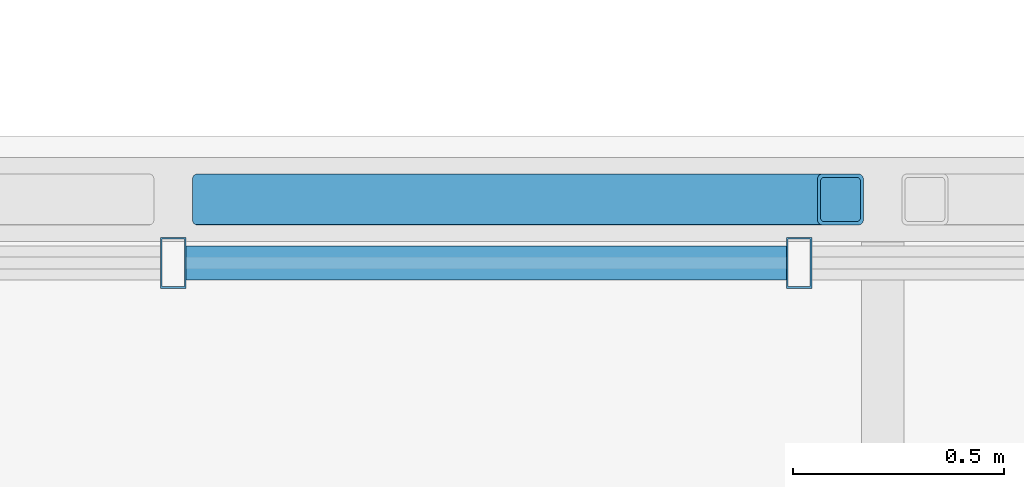
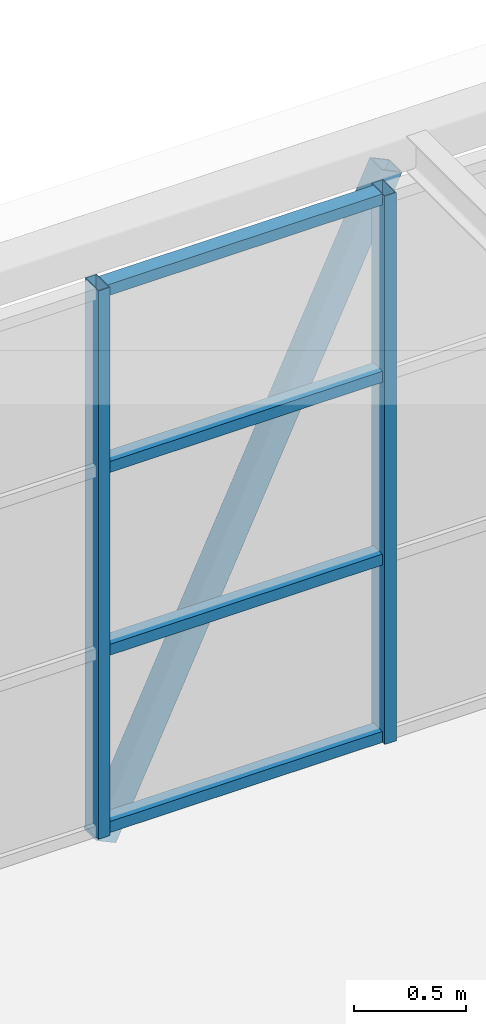
# One storey, part 36 of 149: 7 members, 1 element without a shape of its own.
"""IFC4 building model written with IfcOpenShell, lengths in metres."""

from ifc_helpers import new_model, si_unit, direction, frame, origin, origin_2d, place, context, subcontext, project, spatial, hollow_rectangle, extrude, material, material_profile, profile_set, type_object, element, aggregate, save


model = new_model("IFC4")

# Units and contexts
model_context = context("Model", 3, precision=1e-05, world=origin(), true_north=direction((0.0, 1.0)))
body_context = subcontext(model_context, "Body", "Model", "MODEL_VIEW")
ifc_project = project(units=[si_unit("LENGTHUNIT", "METRE"), si_unit("AREAUNIT", "SQUARE_METRE"), si_unit("VOLUMEUNIT", "CUBIC_METRE"), si_unit("PLANEANGLEUNIT", "RADIAN"), si_unit("MASSUNIT", "GRAM", prefix="KILO")], contexts=[model_context])

# Site, building, storey
site_placement = place(None, origin())
site = spatial("IfcSite", under=ifc_project, at=site_placement, CompositionType="ELEMENT")
building_placement = place(site_placement, origin())
building = spatial("IfcBuilding", under=site, at=building_placement, Name="Kallimachos Central Library", CompositionType="ELEMENT")
storey_placement = place(building_placement, frame((0.0, 0.0, 9.89990234375)))
storey = spatial("IfcBuildingStorey", under=building, at=storey_placement, Name="L02", CompositionType="ELEMENT", Elevation=9.89990234375)

# Curtain wall, members
ifc_material_1 = material(Name="Aluminium and laminated glass", Category="aluminium")
curtain_wall_type = type_object("IfcCurtainWallType", Name="Link glazed wall", PredefinedType="NOTDEFINED", material=ifc_material_1)
curtain_wall_placement = place(storey_placement, origin())
curtain_wall = element("IfcCurtainWall", 1, at=curtain_wall_placement, inside=storey, type_object=curtain_wall_type, Name="V2 to V1 bridge glazed side", PredefinedType="NOTDEFINED")
ifc_material_2 = material(Name="Anodised aluminium", Category="aluminium")
ifc_material_profile_1 = material_profile(ifc_material_2, hollow_rectangle(XDim=0.06005859375, YDim=0.1201171875, WallThickness=0.00390625, at=origin_2d()), Name="ALU MULLION 60x120")
ifc_profile_set_1 = profile_set([ifc_material_profile_1], Name="Anodised aluminium")
member_type_1 = type_object("IfcMemberType", Name="ALU MULLION 60x120 mullion", PredefinedType="MULLION", material=ifc_profile_set_1)
member_1_placement = place(storey_placement, frame((51.737548828125, 102.449951171875, 0.0), z_axis=(0.0, 0.0, 1.0), x_axis=(1.0, 0.0, 0.0)))
member_1 = element("IfcMember", 2, at=member_1_placement, type_object=member_type_1, Name="CW73 mullion 10", PredefinedType="MULLION", context=body_context, shape_type="SweptSolid", body=[
    extrude(hollow_rectangle(XDim=0.06005859375, YDim=0.1201171875, WallThickness=0.00390625, at=origin_2d()), origin(), (0.0, 0.0, 1.0), 3.0),
])
member_2_placement = place(storey_placement, frame((53.219482421875, 102.449951171875, 0.0), z_axis=(0.0, 0.0, 1.0), x_axis=(1.0, 0.0, 0.0)))
member_2 = element("IfcMember", 3, at=member_2_placement, type_object=member_type_1, Name="CW73 mullion 11", PredefinedType="MULLION", context=body_context, shape_type="SweptSolid", body=[
    extrude(hollow_rectangle(XDim=0.06005859375, YDim=0.1201171875, WallThickness=0.00390625, at=origin_2d()), origin(), (0.0, 0.0, 1.0), 3.0),
])
ifc_material_3 = material(Name="Anodised aluminium", Category="aluminium")
ifc_material_profile_2 = material_profile(ifc_material_3, hollow_rectangle(XDim=0.06005859375, YDim=0.080078125, WallThickness=0.00390625, at=origin_2d()), Name="ALU TRANSOM 60x80")
ifc_profile_set_2 = profile_set([ifc_material_profile_2], Name="Anodised aluminium")
member_type_2 = type_object("IfcMemberType", Name="ALU TRANSOM 60x80 transom", PredefinedType="USERDEFINED", material=ifc_profile_set_2)
member_3_placement = place(storey_placement, frame((51.767578125, 102.449951171875, 0.030029296875), z_axis=(1.0, 0.0, 0.0), x_axis=(0.0, 0.0, 1.0)))
member_3 = element("IfcMember", 4, at=member_3_placement, type_object=member_type_2, Name="CW73 transom 10.1", ObjectType="TRANSOM", PredefinedType="USERDEFINED", context=body_context, shape_type="SweptSolid", body=[
    extrude(hollow_rectangle(XDim=0.06005859375, YDim=0.080078125, WallThickness=0.00390625, at=origin_2d()), origin(), (0.0, 0.0, 1.0), 1.421875),
])
member_4_placement = place(storey_placement, frame((51.767578125, 102.449951171875, 1.0), z_axis=(1.0, 0.0, 0.0), x_axis=(0.0, 0.0, 1.0)))
member_4 = element("IfcMember", 5, at=member_4_placement, type_object=member_type_2, Name="CW73 transom 10.2", ObjectType="TRANSOM", PredefinedType="USERDEFINED", context=body_context, shape_type="SweptSolid", body=[
    extrude(hollow_rectangle(XDim=0.06005859375, YDim=0.080078125, WallThickness=0.00390625, at=origin_2d()), origin(), (0.0, 0.0, 1.0), 1.421875),
])
member_5_placement = place(storey_placement, frame((51.767578125, 102.449951171875, 2.0), z_axis=(1.0, 0.0, 0.0), x_axis=(0.0, 0.0, 1.0)))
member_5 = element("IfcMember", 6, at=member_5_placement, type_object=member_type_2, Name="CW73 transom 10.3", ObjectType="TRANSOM", PredefinedType="USERDEFINED", context=body_context, shape_type="SweptSolid", body=[
    extrude(hollow_rectangle(XDim=0.06005859375, YDim=0.080078125, WallThickness=0.00390625, at=origin_2d()), origin(), (0.0, 0.0, 1.0), 1.421875),
])
member_6_placement = place(storey_placement, frame((51.767578125, 102.449951171875, 2.97021484375), z_axis=(1.0, 0.0, 0.0), x_axis=(0.0, 0.0, 1.0)))
member_6 = element("IfcMember", 7, at=member_6_placement, type_object=member_type_2, Name="CW73 transom 10.4", ObjectType="TRANSOM", PredefinedType="USERDEFINED", context=body_context, shape_type="SweptSolid", body=[
    extrude(hollow_rectangle(XDim=0.06005859375, YDim=0.080078125, WallThickness=0.00390625, at=origin_2d()), origin(), (0.0, 0.0, 1.0), 1.421875),
])
aggregate(curtain_wall, [member_1, member_2, member_3, member_4, member_5, member_6])

# Member
ifc_material_4 = material(Name="Steel S355J2H", Category="steel")
ifc_material_profile_3 = material_profile(ifc_material_4, hollow_rectangle(XDim=0.1201171875, YDim=0.1201171875, WallThickness=0.008056640625, InnerFilletRadius=0.008056640625, OuterFilletRadius=0.011962890625, at=origin_2d()), Name="SHS 120x120x8")
ifc_profile_set_3 = profile_set([ifc_material_profile_3], Name="Steel S355J2H")
member_type_3 = type_object("IfcMemberType", Name="SHS 120x120x8 web", PredefinedType="BRACE", material=ifc_profile_set_3)
member_7_placement = place(storey_placement, frame((51.83740234375, 102.60009765625, -0.14990234375), z_axis=(0.425192201844, 0.0, 0.905103083351), x_axis=(0.0, 1.0, 0.0)))
element("IfcMember", 8, at=member_7_placement, inside=storey, type_object=member_type_3, Name="links-MEM-L02-027", PredefinedType="BRACE", context=body_context, shape_type="SweptSolid", body=[
    extrude(hollow_rectangle(XDim=0.1201171875, YDim=0.1201171875, WallThickness=0.008056640625, InnerFilletRadius=0.008056640625, OuterFilletRadius=0.011962890625, at=origin_2d()), origin(), (0.0, 0.0, 1.0), 3.480224609375),
])

save(model, "model.ifc")
